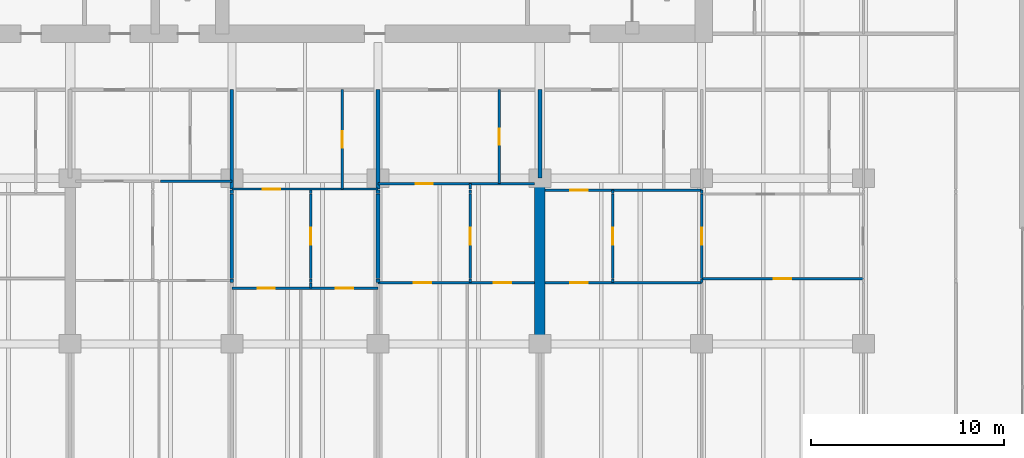
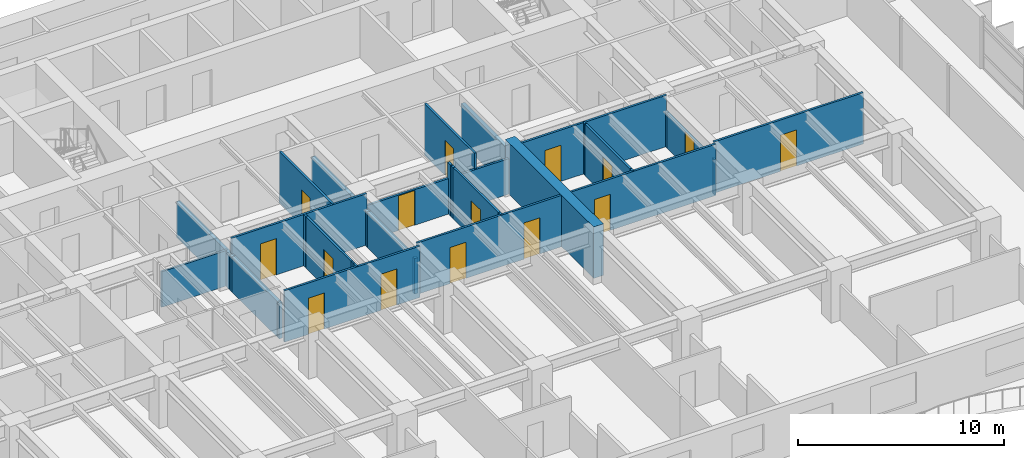
# One storey, part 9 of 18: 34 walls, 15 doors, 15 openings.
"""IFC4 building model written with IfcOpenShell, lengths in metres."""

from ifc_helpers import new_model, si_unit, direction, frame, frame_2d, origin, place, context, subcontext, project, spatial, rectangle, extrude, material, layer, layer_set, type_object, element, fill, save


model = new_model("IFC4")

# Units and contexts
model_context = context("Model", 3, precision=1e-05, world=origin(), true_north=direction((0.0, 1.0)))
body_context = subcontext(model_context, "Body", "Model", "MODEL_VIEW")
ifc_project = project(units=[si_unit("LENGTHUNIT", "METRE"), si_unit("AREAUNIT", "SQUARE_METRE"), si_unit("VOLUMEUNIT", "CUBIC_METRE"), si_unit("PLANEANGLEUNIT", "RADIAN"), si_unit("MASSUNIT", "GRAM", prefix="KILO")], contexts=[model_context])

# Site, building, storey
site_placement = place(None, origin())
site = spatial("IfcSite", under=ifc_project, at=site_placement, CompositionType="ELEMENT")
building_placement = place(site_placement, origin())
building = spatial("IfcBuilding", under=site, at=building_placement, Name="Caelmar Bay Residences", CompositionType="ELEMENT")
storey_placement = place(building_placement, frame((0.0, 0.0, 46.5)))
storey = spatial("IfcBuildingStorey", under=building, at=storey_placement, Name="L11", CompositionType="ELEMENT", Elevation=46.5)

# Walls
ifc_material_1 = material(Name="Concrete f'c 70 MPa (10,000 psi)", Category="concrete")
ifc_layer_1 = layer(ifc_material_1, 0.550048828125)
ifc_layer_set_1 = layer_set([ifc_layer_1], Name="Concrete f'c 70 MPa (10,000 psi)")
wall_type_1 = type_object("IfcWallType", Name="SW-XSLB-550", PredefinedType="SHEAR", material=ifc_layer_set_1)
wall_1_placement = place(storey_placement, frame((51.10009765625, 20.800048828125, 0.0), z_axis=(0.0, 0.0, 1.0), x_axis=(0.0, 1.0, 0.0)))
element("IfcWall", 1, at=wall_1_placement, inside=storey, type_object=wall_type_1, Name="L11 Transverse Cross-Slab Shear Wall E8", PredefinedType="SHEAR", context=body_context, shape_type="SweptSolid", body=[
    extrude(rectangle(XDim=8.599853515625, YDim=0.550048828125, at=frame_2d((4.2998046875, 0.0))), origin(), (0.0, 0.0, 1.0), 3.050048828125),
])
ifc_material_2 = material(Name="Acoustic metal-stud gypsum partition 120 mm")
ifc_layer_2 = layer(ifc_material_2, 0.1201171875)
ifc_layer_set_2 = layer_set([ifc_layer_2], Name="Acoustic metal-stud gypsum partition 120 mm")
wall_type_2 = type_object("IfcWallType", Name="W-PRT-120", PredefinedType="PARTITIONING", material=ifc_layer_set_2)
wall_2_placement = place(storey_placement, frame((39.2041015625, 23.68994140625, 0.0), z_axis=(0.0, 0.0, 1.0), x_axis=(0.0, 1.0, 0.0)))
element("IfcWall", 2, at=wall_2_placement, inside=storey, type_object=wall_type_2, Name="L11 Partition Wall V055", PredefinedType="PARTITIONING", context=body_context, shape_type="SweptSolid", body=[
    extrude(rectangle(XDim=0.280029296875, YDim=0.1201171875, at=frame_2d((0.14013671875, 0.0))), origin(), (0.0, 0.0, 1.0), 3.050048828125),
])
wall_3_placement = place(storey_placement, frame((39.2041015625, 24.0, 0.0), z_axis=(0.0, 0.0, 1.0), x_axis=(0.0, 1.0, 0.0)))
element("IfcWall", 3, at=wall_3_placement, inside=storey, type_object=wall_type_2, Name="L11 Partition Wall V056", PredefinedType="PARTITIONING", context=body_context, shape_type="SweptSolid", body=[
    extrude(rectangle(XDim=0.179931640625, YDim=0.1201171875, at=frame_2d((0.08984375, 0.0))), origin(), (0.0, 0.0, 1.0), 3.050048828125),
])

# Wall, opening, door
wall_4_placement = place(storey_placement, frame((39.2041015625, 24.199951171875, 0.0), z_axis=(0.0, 0.0, 1.0), x_axis=(0.0, 1.0, 0.0)))
wall_4 = element("IfcWall", 4, at=wall_4_placement, inside=storey, type_object=wall_type_2, Name="L11 Partition Wall V057", PredefinedType="PARTITIONING", context=body_context, shape_type="SweptSolid", body=[
    extrude(rectangle(XDim=4.380126953125, YDim=0.1201171875, at=frame_2d((2.18994140625, 0.0))), origin(), (0.0, 0.0, 1.0), 3.050048828125),
])
opening_1_placement = place(wall_4_placement, frame((1.739990234375, 0.0, 0.0)))
opening_1 = element("IfcOpeningElement", 5, at=opening_1_placement, cuts=wall_4, Name="Opening D-L11-144", PredefinedType="OPENING", context=body_context, shape_type="SweptSolid", body=[
    extrude(rectangle(XDim=0.89990234375, YDim=2.14990234375, at=frame_2d((0.449951171875, 1.074951171875))), frame((0.0, 0.070068359375, 0.0), z_axis=(0.0, -1.0, 0.0), x_axis=(1.0, 0.0, 0.0)), (0.0, 0.0, 1.0), 0.14013671875),
])
ifc_material_3 = material(Name="Solid walnut timber interior door leaf and frame", Category="wood")
ifc_layer_3 = layer(ifc_material_3, 0.050048828125)
ifc_layer_set_3 = layer_set([ifc_layer_3], Name="Solid walnut timber interior door leaf and frame")
door_type_1 = type_object("IfcDoorType", Name="D-ROOM-900", OperationType="NOTDEFINED", PredefinedType="DOOR", material=ifc_layer_set_3)
door_1_placement = place(opening_1_placement, origin())
door_1 = element("IfcDoor", 6, at=door_1_placement, inside=storey, type_object=door_type_1, Name="L11 Residence 03 Home Office Door", OperationType="SINGLE_SWING_LEFT", OverallHeight=2.14990234375, OverallWidth=0.89990234375, PredefinedType="DOOR", context=body_context, shape_type="SweptSolid", body=[
    extrude(rectangle(XDim=0.89990234375, YDim=2.14990234375, at=frame_2d((0.449951171875, 1.074951171875))), frame((0.0, 0.02490234375, 0.0), z_axis=(0.0, -1.0, 0.0), x_axis=(1.0, 0.0, 0.0)), (0.0, 0.0, 1.0), 0.050048828125),
])
fill(opening_1, door_1)

# Wall
wall_5_placement = place(storey_placement, frame((39.2041015625, 28.60009765625, 0.0), z_axis=(0.0, 0.0, 1.0), x_axis=(0.0, 1.0, 0.0)))
element("IfcWall", 7, at=wall_5_placement, inside=storey, type_object=wall_type_2, Name="L11 Partition Wall V058", PredefinedType="PARTITIONING", context=body_context, shape_type="SweptSolid", body=[
    extrude(rectangle(XDim=0.179931640625, YDim=0.1201171875, at=frame_2d((0.08984375, 0.0))), origin(), (0.0, 0.0, 1.0), 3.050048828125),
])

# Wall, opening, door
wall_6_placement = place(storey_placement, frame((40.840087890625, 28.840087890625, 0.0), z_axis=(0.0, 0.0, 1.0), x_axis=(0.0, 1.0, 0.0)))
wall_6 = element("IfcWall", 8, at=wall_6_placement, inside=storey, type_object=wall_type_2, Name="L11 Partition Wall V060", PredefinedType="PARTITIONING", context=body_context, shape_type="SweptSolid", body=[
    extrude(rectangle(XDim=5.159912109375, YDim=0.1201171875, at=frame_2d((2.580078125, 0.0))), origin(), (0.0, 0.0, 1.0), 3.050048828125),
])
opening_2_placement = place(wall_6_placement, frame((2.155029296875, 0.0, 0.0)))
opening_2 = element("IfcOpeningElement", 9, at=opening_2_placement, cuts=wall_6, Name="Opening D-L11-142", PredefinedType="OPENING", context=body_context, shape_type="SweptSolid", body=[
    extrude(rectangle(XDim=0.85009765625, YDim=2.10009765625, at=frame_2d((0.425048828125, 1.050048828125))), frame((0.0, 0.070068359375, 0.0), z_axis=(0.0, -1.0, 0.0), x_axis=(1.0, 0.0, 0.0)), (0.0, 0.0, 1.0), 0.14013671875),
])
ifc_layer_4 = layer(ifc_material_3, 0.050048828125)
ifc_layer_set_4 = layer_set([ifc_layer_4], Name="Solid walnut timber interior door leaf and frame")
door_type_2 = type_object("IfcDoorType", Name="D-BATH-850", OperationType="NOTDEFINED", PredefinedType="DOOR", material=ifc_layer_set_4)
door_2_placement = place(opening_2_placement, origin())
door_2 = element("IfcDoor", 10, at=door_2_placement, inside=storey, type_object=door_type_2, Name="L11 Residence 03 Bathroom Door", OperationType="SINGLE_SWING_LEFT", OverallHeight=2.10009765625, OverallWidth=0.85009765625, PredefinedType="DOOR", context=body_context, shape_type="SweptSolid", body=[
    extrude(rectangle(XDim=0.85009765625, YDim=2.10009765625, at=frame_2d((0.425048828125, 1.050048828125))), frame((0.0, 0.02490234375, 0.0), z_axis=(0.0, -1.0, 0.0), x_axis=(1.0, 0.0, 0.0)), (0.0, 0.0, 1.0), 0.050048828125),
])
fill(opening_2, door_2)

# Wall
wall_7_placement = place(storey_placement, frame((47.486083984375, 24.0, 0.0), z_axis=(0.0, 0.0, 1.0), x_axis=(0.0, 1.0, 0.0)))
element("IfcWall", 11, at=wall_7_placement, inside=storey, type_object=wall_type_2, Name="L11 Partition Wall V072", PredefinedType="PARTITIONING", context=body_context, shape_type="SweptSolid", body=[
    extrude(rectangle(XDim=0.179931640625, YDim=0.1201171875, at=frame_2d((0.08984375, 0.0))), origin(), (0.0, 0.0, 1.0), 3.050048828125),
])

# Wall, opening, door
wall_8_placement = place(storey_placement, frame((47.486083984375, 24.199951171875, 0.0), z_axis=(0.0, 0.0, 1.0), x_axis=(0.0, 1.0, 0.0)))
wall_8 = element("IfcWall", 12, at=wall_8_placement, inside=storey, type_object=wall_type_2, Name="L11 Partition Wall V073", PredefinedType="PARTITIONING", context=body_context, shape_type="SweptSolid", body=[
    extrude(rectangle(XDim=4.380126953125, YDim=0.1201171875, at=frame_2d((2.18994140625, 0.0))), origin(), (0.0, 0.0, 1.0), 3.050048828125),
])
opening_3_placement = place(wall_8_placement, frame((1.739990234375, 0.0, 0.0)))
opening_3 = element("IfcOpeningElement", 13, at=opening_3_placement, cuts=wall_8, Name="Opening D-L11-151", PredefinedType="OPENING", context=body_context, shape_type="SweptSolid", body=[
    extrude(rectangle(XDim=0.89990234375, YDim=2.14990234375, at=frame_2d((0.449951171875, 1.074951171875))), frame((0.0, 0.070068359375, 0.0), z_axis=(0.0, -1.0, 0.0), x_axis=(1.0, 0.0, 0.0)), (0.0, 0.0, 1.0), 0.14013671875),
])
door_3_placement = place(opening_3_placement, origin())
door_3 = element("IfcDoor", 14, at=door_3_placement, inside=storey, type_object=door_type_1, Name="L11 Residence 04 Home Office Door", OperationType="SINGLE_SWING_RIGHT", OverallHeight=2.14990234375, OverallWidth=0.89990234375, PredefinedType="DOOR", context=body_context, shape_type="SweptSolid", body=[
    extrude(rectangle(XDim=0.89990234375, YDim=2.14990234375, at=frame_2d((0.449951171875, 1.074951171875))), frame((0.0, 0.02490234375, 0.0), z_axis=(0.0, -1.0, 0.0), x_axis=(1.0, 0.0, 0.0)), (0.0, 0.0, 1.0), 0.050048828125),
])
fill(opening_3, door_3)

# Walls
wall_9_placement = place(storey_placement, frame((47.486083984375, 28.60009765625, 0.0), z_axis=(0.0, 0.0, 1.0), x_axis=(0.0, 1.0, 0.0)))
element("IfcWall", 15, at=wall_9_placement, inside=storey, type_object=wall_type_2, Name="L11 Partition Wall V074", PredefinedType="PARTITIONING", context=body_context, shape_type="SweptSolid", body=[
    extrude(rectangle(XDim=0.179931640625, YDim=0.1201171875, at=frame_2d((0.08984375, 0.0))), origin(), (0.0, 0.0, 1.0), 3.050048828125),
])
wall_10_placement = place(storey_placement, frame((47.486083984375, 28.840087890625, 0.0), z_axis=(0.0, 0.0, 1.0), x_axis=(0.0, 1.0, 0.0)))
element("IfcWall", 16, at=wall_10_placement, inside=storey, type_object=wall_type_2, Name="L11 Partition Wall V075", PredefinedType="PARTITIONING", context=body_context, shape_type="SweptSolid", body=[
    extrude(rectangle(XDim=0.280029296875, YDim=0.1201171875, at=frame_2d((0.14013671875, 0.0))), origin(), (0.0, 0.0, 1.0), 3.050048828125),
])

# Wall, opening, door
wall_11_placement = place(storey_placement, frame((48.989013671875, 29.1201171875, 0.0), z_axis=(0.0, 0.0, 1.0), x_axis=(0.0, 1.0, 0.0)))
wall_11 = element("IfcWall", 17, at=wall_11_placement, inside=storey, type_object=wall_type_2, Name="L11 Partition Wall V077", PredefinedType="PARTITIONING", context=body_context, shape_type="SweptSolid", body=[
    extrude(rectangle(XDim=4.8798828125, YDim=0.1201171875, at=frame_2d((2.43994140625, 0.0))), origin(), (0.0, 0.0, 1.0), 3.050048828125),
])
opening_4_placement = place(wall_11_placement, frame((2.014892578125, 0.0, 0.0)))
opening_4 = element("IfcOpeningElement", 18, at=opening_4_placement, cuts=wall_11, Name="Opening D-L11-149", PredefinedType="OPENING", context=body_context, shape_type="SweptSolid", body=[
    extrude(rectangle(XDim=0.85009765625, YDim=2.10009765625, at=frame_2d((0.425048828125, 1.050048828125))), frame((0.0, 0.070068359375, 0.0), z_axis=(0.0, -1.0, 0.0), x_axis=(1.0, 0.0, 0.0)), (0.0, 0.0, 1.0), 0.14013671875),
])
door_4_placement = place(opening_4_placement, origin())
door_4 = element("IfcDoor", 19, at=door_4_placement, inside=storey, type_object=door_type_2, Name="L11 Residence 04 Bathroom Door", OperationType="SINGLE_SWING_RIGHT", OverallHeight=2.10009765625, OverallWidth=0.85009765625, PredefinedType="DOOR", context=body_context, shape_type="SweptSolid", body=[
    extrude(rectangle(XDim=0.85009765625, YDim=2.10009765625, at=frame_2d((0.425048828125, 1.050048828125))), frame((0.0, 0.02490234375, 0.0), z_axis=(0.0, -1.0, 0.0), x_axis=(1.0, 0.0, 0.0)), (0.0, 0.0, 1.0), 0.050048828125),
])
fill(opening_4, door_4)

# Wall
wall_12_placement = place(storey_placement, frame((54.8798828125, 24.0, 0.0), z_axis=(0.0, 0.0, 1.0), x_axis=(0.0, 1.0, 0.0)))
element("IfcWall", 20, at=wall_12_placement, inside=storey, type_object=wall_type_2, Name="L11 Partition Wall V085", PredefinedType="PARTITIONING", context=body_context, shape_type="SweptSolid", body=[
    extrude(rectangle(XDim=0.179931640625, YDim=0.1201171875, at=frame_2d((0.08984375, 0.0))), origin(), (0.0, 0.0, 1.0), 3.050048828125),
])

# Wall, opening, door
wall_13_placement = place(storey_placement, frame((54.8798828125, 24.199951171875, 0.0), z_axis=(0.0, 0.0, 1.0), x_axis=(0.0, 1.0, 0.0)))
wall_13 = element("IfcWall", 21, at=wall_13_placement, inside=storey, type_object=wall_type_2, Name="L11 Partition Wall V086", PredefinedType="PARTITIONING", context=body_context, shape_type="SweptSolid", body=[
    extrude(rectangle(XDim=4.380126953125, YDim=0.1201171875, at=frame_2d((2.18994140625, 0.0))), origin(), (0.0, 0.0, 1.0), 3.050048828125),
])
opening_5_placement = place(wall_13_placement, frame((1.739990234375, 0.0, 0.0)))
opening_5 = element("IfcOpeningElement", 22, at=opening_5_placement, cuts=wall_13, Name="Opening D-L11-158", PredefinedType="OPENING", context=body_context, shape_type="SweptSolid", body=[
    extrude(rectangle(XDim=0.89990234375, YDim=2.14990234375, at=frame_2d((0.449951171875, 1.074951171875))), frame((0.0, 0.070068359375, 0.0), z_axis=(0.0, -1.0, 0.0), x_axis=(1.0, 0.0, 0.0)), (0.0, 0.0, 1.0), 0.14013671875),
])
door_5_placement = place(opening_5_placement, origin())
door_5 = element("IfcDoor", 23, at=door_5_placement, inside=storey, type_object=door_type_1, Name="L11 Residence 05 Kitchen Door", OperationType="SINGLE_SWING_LEFT", OverallHeight=2.14990234375, OverallWidth=0.89990234375, PredefinedType="DOOR", context=body_context, shape_type="SweptSolid", body=[
    extrude(rectangle(XDim=0.89990234375, YDim=2.14990234375, at=frame_2d((0.449951171875, 1.074951171875))), frame((0.0, 0.02490234375, 0.0), z_axis=(0.0, -1.0, 0.0), x_axis=(1.0, 0.0, 0.0)), (0.0, 0.0, 1.0), 0.050048828125),
])
fill(opening_5, door_5)

# Walls
wall_14_placement = place(storey_placement, frame((54.8798828125, 28.60009765625, 0.0), z_axis=(0.0, 0.0, 1.0), x_axis=(0.0, 1.0, 0.0)))
element("IfcWall", 24, at=wall_14_placement, inside=storey, type_object=wall_type_2, Name="L11 Partition Wall V087", PredefinedType="PARTITIONING", context=body_context, shape_type="SweptSolid", body=[
    extrude(rectangle(XDim=0.179931640625, YDim=0.1201171875, at=frame_2d((0.08984375, 0.0))), origin(), (0.0, 0.0, 1.0), 3.050048828125),
])
wall_15_placement = place(storey_placement, frame((59.5, 24.0, 0.0), z_axis=(0.0, 0.0, 1.0), x_axis=(0.0, 1.0, 0.0)))
element("IfcWall", 25, at=wall_15_placement, inside=storey, type_object=wall_type_2, Name="L11 Partition Wall V092", PredefinedType="PARTITIONING", context=body_context, shape_type="SweptSolid", body=[
    extrude(rectangle(XDim=0.179931640625, YDim=0.1201171875, at=frame_2d((0.08984375, 0.0))), origin(), (0.0, 0.0, 1.0), 2.110107421875),
])

# Wall, opening, door
wall_16_placement = place(storey_placement, frame((59.5, 24.199951171875, 0.0), z_axis=(0.0, 0.0, 1.0), x_axis=(0.0, 1.0, 0.0)))
wall_16 = element("IfcWall", 26, at=wall_16_placement, inside=storey, type_object=wall_type_2, Name="L11 Partition Wall V093", PredefinedType="PARTITIONING", context=body_context, shape_type="SweptSolid", body=[
    extrude(rectangle(XDim=4.380126953125, YDim=0.1201171875, at=frame_2d((2.18994140625, 0.0))), origin(), (0.0, 0.0, 1.0), 2.110107421875),
])
opening_6_placement = place(wall_16_placement, frame((1.739990234375, 0.0, 0.0)))
opening_6 = element("IfcOpeningElement", 27, at=opening_6_placement, cuts=wall_16, Name="Opening D-L11-160", PredefinedType="OPENING", context=body_context, shape_type="SweptSolid", body=[
    extrude(rectangle(XDim=0.89990234375, YDim=2.06005859375, at=frame_2d((0.449951171875, 1.030029296875))), frame((0.0, 0.070068359375, 0.0), z_axis=(0.0, -1.0, 0.0), x_axis=(1.0, 0.0, 0.0)), (0.0, 0.0, 1.0), 0.14013671875),
])
door_6_placement = place(opening_6_placement, origin())
door_6 = element("IfcDoor", 28, at=door_6_placement, inside=storey, type_object=door_type_1, Name="L11 Residence 05 Library Study 1 Door", OperationType="SINGLE_SWING_LEFT", OverallHeight=2.06005859375, OverallWidth=0.89990234375, PredefinedType="DOOR", context=body_context, shape_type="SweptSolid", body=[
    extrude(rectangle(XDim=0.89990234375, YDim=2.06005859375, at=frame_2d((0.449951171875, 1.030029296875))), frame((0.0, 0.02490234375, 0.0), z_axis=(0.0, -1.0, 0.0), x_axis=(1.0, 0.0, 0.0)), (0.0, 0.0, 1.0), 0.050048828125),
])
fill(opening_6, door_6)

# Wall
wall_17_placement = place(storey_placement, frame((59.5, 28.60009765625, 0.0), z_axis=(0.0, 0.0, 1.0), x_axis=(0.0, 1.0, 0.0)))
element("IfcWall", 29, at=wall_17_placement, inside=storey, type_object=wall_type_2, Name="L11 Partition Wall V094", PredefinedType="PARTITIONING", context=body_context, shape_type="SweptSolid", body=[
    extrude(rectangle(XDim=0.179931640625, YDim=0.1201171875, at=frame_2d((0.08984375, 0.0))), origin(), (0.0, 0.0, 1.0), 2.110107421875),
])

# Wall, openings, doors
wall_18_placement = place(storey_placement, frame((35.10009765625, 23.68994140625, 0.0), z_axis=(0.0, 0.0, 1.0), x_axis=(1.0, 0.0, 0.0)))
wall_18 = element("IfcWall", 30, at=wall_18_placement, inside=storey, type_object=wall_type_2, Name="L11 Partition Wall H118", PredefinedType="PARTITIONING", context=body_context, shape_type="SweptSolid", body=[
    extrude(rectangle(XDim=7.599853515625, YDim=0.1201171875, at=frame_2d((3.7998046875, 0.0))), origin(), (0.0, 0.0, 1.0), 3.050048828125),
])
opening_7_placement = place(wall_18_placement, frame((1.3359375, 0.0, 0.0)))
opening_7 = element("IfcOpeningElement", 31, at=opening_7_placement, cuts=wall_18, Name="Opening D-L11-145", PredefinedType="OPENING", context=body_context, shape_type="SweptSolid", body=[
    extrude(rectangle(XDim=0.89990234375, YDim=2.14990234375, at=frame_2d((0.449951171875, 1.074951171875))), frame((0.0, 0.070068359375, 0.0), z_axis=(0.0, -1.0, 0.0), x_axis=(1.0, 0.0, 0.0)), (0.0, 0.0, 1.0), 0.14013671875),
])
opening_8_placement = place(wall_18_placement, frame((5.402099609375, 0.0, 0.0)))
opening_8 = element("IfcOpeningElement", 32, at=opening_8_placement, cuts=wall_18, Name="Opening D-L11-146", PredefinedType="OPENING", context=body_context, shape_type="SweptSolid", body=[
    extrude(rectangle(XDim=0.89990234375, YDim=2.14990234375, at=frame_2d((0.449951171875, 1.074951171875))), frame((0.0, 0.070068359375, 0.0), z_axis=(0.0, -1.0, 0.0), x_axis=(1.0, 0.0, 0.0)), (0.0, 0.0, 1.0), 0.14013671875),
])
door_7_placement = place(opening_7_placement, origin())
door_7 = element("IfcDoor", 33, at=door_7_placement, inside=storey, type_object=door_type_1, Name="L11 Residence 03 Living Room Door", OperationType="SINGLE_SWING_RIGHT", OverallHeight=2.14990234375, OverallWidth=0.89990234375, PredefinedType="DOOR", context=body_context, shape_type="SweptSolid", body=[
    extrude(rectangle(XDim=0.89990234375, YDim=2.14990234375, at=frame_2d((0.449951171875, 1.074951171875))), frame((0.0, 0.02490234375, 0.0), z_axis=(0.0, -1.0, 0.0), x_axis=(1.0, 0.0, 0.0)), (0.0, 0.0, 1.0), 0.050048828125),
])
fill(opening_7, door_7)
door_8_placement = place(opening_8_placement, origin())
door_8 = element("IfcDoor", 34, at=door_8_placement, inside=storey, type_object=door_type_1, Name="L11 Residence 03 Penthouse Sitting Room Door", OperationType="SINGLE_SWING_LEFT", OverallHeight=2.14990234375, OverallWidth=0.89990234375, PredefinedType="DOOR", context=body_context, shape_type="SweptSolid", body=[
    extrude(rectangle(XDim=0.89990234375, YDim=2.14990234375, at=frame_2d((0.449951171875, 1.074951171875))), frame((0.0, 0.02490234375, 0.0), z_axis=(0.0, -1.0, 0.0), x_axis=(1.0, 0.0, 0.0)), (0.0, 0.0, 1.0), 0.050048828125),
])
fill(opening_8, door_8)

wall_19_placement = place(storey_placement, frame((42.699951171875, 23.969970703125, 0.0), z_axis=(0.0, 0.0, 1.0), x_axis=(1.0, 0.0, 0.0)))
wall_19 = element("IfcWall", 35, at=wall_19_placement, inside=storey, type_object=wall_type_2, Name="L11 Partition Wall H119", PredefinedType="PARTITIONING", context=body_context, shape_type="SweptSolid", body=[
    extrude(rectangle(XDim=8.130126953125, YDim=0.1201171875, at=frame_2d((4.06494140625, 0.0))), origin(), (0.0, 0.0, 1.0), 3.050048828125),
])
opening_9_placement = place(wall_19_placement, frame((1.860107421875, 0.0, 0.0)))
opening_9 = element("IfcOpeningElement", 36, at=opening_9_placement, cuts=wall_19, Name="Opening D-L11-152", PredefinedType="OPENING", context=body_context, shape_type="SweptSolid", body=[
    extrude(rectangle(XDim=0.89990234375, YDim=2.14990234375, at=frame_2d((0.449951171875, 1.074951171875))), frame((0.0, 0.070068359375, 0.0), z_axis=(0.0, -1.0, 0.0), x_axis=(1.0, 0.0, 0.0)), (0.0, 0.0, 1.0), 0.14013671875),
])
opening_10_placement = place(wall_19_placement, frame((6.008056640625, 0.0, 0.0)))
opening_10 = element("IfcOpeningElement", 37, at=opening_10_placement, cuts=wall_19, Name="Opening D-L11-153", PredefinedType="OPENING", context=body_context, shape_type="SweptSolid", body=[
    extrude(rectangle(XDim=0.89990234375, YDim=2.14990234375, at=frame_2d((0.449951171875, 1.074951171875))), frame((0.0, 0.070068359375, 0.0), z_axis=(0.0, -1.0, 0.0), x_axis=(1.0, 0.0, 0.0)), (0.0, 0.0, 1.0), 0.14013671875),
])
door_9_placement = place(opening_9_placement, origin())
door_9 = element("IfcDoor", 38, at=door_9_placement, inside=storey, type_object=door_type_1, Name="L11 Residence 04 Penthouse Living Salon Door", OperationType="SINGLE_SWING_LEFT", OverallHeight=2.14990234375, OverallWidth=0.89990234375, PredefinedType="DOOR", context=body_context, shape_type="SweptSolid", body=[
    extrude(rectangle(XDim=0.89990234375, YDim=2.14990234375, at=frame_2d((0.449951171875, 1.074951171875))), frame((0.0, 0.02490234375, 0.0), z_axis=(0.0, -1.0, 0.0), x_axis=(1.0, 0.0, 0.0)), (0.0, 0.0, 1.0), 0.050048828125),
])
fill(opening_9, door_9)
door_10_placement = place(opening_10_placement, origin())
door_10 = element("IfcDoor", 39, at=door_10_placement, inside=storey, type_object=door_type_1, Name="L11 Residence 04 Penthouse Sitting Room Door", OperationType="SINGLE_SWING_RIGHT", OverallHeight=2.14990234375, OverallWidth=0.89990234375, PredefinedType="DOOR", context=body_context, shape_type="SweptSolid", body=[
    extrude(rectangle(XDim=0.89990234375, YDim=2.14990234375, at=frame_2d((0.449951171875, 1.074951171875))), frame((0.0, 0.02490234375, 0.0), z_axis=(0.0, -1.0, 0.0), x_axis=(1.0, 0.0, 0.0)), (0.0, 0.0, 1.0), 0.050048828125),
])
fill(opening_10, door_10)

# Wall, opening, door
wall_20_placement = place(storey_placement, frame((51.3701171875, 23.97998046875, 0.0), z_axis=(0.0, 0.0, 1.0), x_axis=(1.0, 0.0, 0.0)))
wall_20 = element("IfcWall", 40, at=wall_20_placement, inside=storey, type_object=wall_type_2, Name="L11 Partition Wall H120", PredefinedType="PARTITIONING", context=body_context, shape_type="SweptSolid", body=[
    extrude(rectangle(XDim=8.1298828125, YDim=0.1201171875, at=frame_2d((4.06494140625, 0.0))), origin(), (0.0, 0.0, 1.0), 3.050048828125),
])
opening_11_placement = place(wall_20_placement, frame((1.304931640625, 0.0, 0.0)))
opening_11 = element("IfcOpeningElement", 41, at=opening_11_placement, cuts=wall_20, Name="Opening D-L11-159", PredefinedType="OPENING", context=body_context, shape_type="SweptSolid", body=[
    extrude(rectangle(XDim=0.89990234375, YDim=2.14990234375, at=frame_2d((0.449951171875, 1.074951171875))), frame((0.0, 0.070068359375, 0.0), z_axis=(0.0, -1.0, 0.0), x_axis=(1.0, 0.0, 0.0)), (0.0, 0.0, 1.0), 0.14013671875),
])
door_11_placement = place(opening_11_placement, origin())
door_11 = element("IfcDoor", 42, at=door_11_placement, inside=storey, type_object=door_type_1, Name="L11 Residence 05 Penthouse Living Salon Door", OperationType="SINGLE_SWING_RIGHT", OverallHeight=2.14990234375, OverallWidth=0.89990234375, PredefinedType="DOOR", context=body_context, shape_type="SweptSolid", body=[
    extrude(rectangle(XDim=0.89990234375, YDim=2.14990234375, at=frame_2d((0.449951171875, 1.074951171875))), frame((0.0, 0.02490234375, 0.0), z_axis=(0.0, -1.0, 0.0), x_axis=(1.0, 0.0, 0.0)), (0.0, 0.0, 1.0), 0.050048828125),
])
fill(opening_11, door_11)

wall_21_placement = place(storey_placement, frame((59.5048828125, 24.179931640625, 0.0), z_axis=(0.0, 0.0, 1.0), x_axis=(1.0, 0.0, 0.0)))
wall_21 = element("IfcWall", 43, at=wall_21_placement, inside=storey, type_object=wall_type_2, Name="L11 Partition Wall H124", PredefinedType="PARTITIONING", context=body_context, shape_type="SweptSolid", body=[
    extrude(rectangle(XDim=8.39501953125, YDim=0.1201171875, at=frame_2d((4.197509765625, 0.0))), origin(), (0.0, 0.0, 1.0), 3.050048828125),
])
opening_12_placement = place(wall_21_placement, frame((3.74755859375, 0.0, 0.0)))
opening_12 = element("IfcOpeningElement", 44, at=opening_12_placement, cuts=wall_21, Name="Opening D-L11-163", PredefinedType="OPENING", context=body_context, shape_type="SweptSolid", body=[
    extrude(rectangle(XDim=0.89990234375, YDim=2.14990234375, at=frame_2d((0.449951171875, 1.074951171875))), frame((0.0, 0.070068359375, 0.0), z_axis=(0.0, -1.0, 0.0), x_axis=(1.0, 0.0, 0.0)), (0.0, 0.0, 1.0), 0.14013671875),
])
door_12_placement = place(opening_12_placement, origin())
door_12 = element("IfcDoor", 45, at=door_12_placement, inside=storey, type_object=door_type_1, Name="L11 Residence 05 Penthouse Sitting Salon 1 Door", OperationType="SINGLE_SWING_RIGHT", OverallHeight=2.14990234375, OverallWidth=0.89990234375, PredefinedType="DOOR", context=body_context, shape_type="SweptSolid", body=[
    extrude(rectangle(XDim=0.89990234375, YDim=2.14990234375, at=frame_2d((0.449951171875, 1.074951171875))), frame((0.0, 0.02490234375, 0.0), z_axis=(0.0, -1.0, 0.0), x_axis=(1.0, 0.0, 0.0)), (0.0, 0.0, 1.0), 0.050048828125),
])
fill(opening_12, door_12)

wall_22_placement = place(storey_placement, frame((51.3701171875, 28.780029296875, 0.0), z_axis=(0.0, 0.0, 1.0), x_axis=(1.0, 0.0, 0.0)))
wall_22 = element("IfcWall", 46, at=wall_22_placement, inside=storey, type_object=wall_type_2, Name="L11 Partition Wall H128", PredefinedType="PARTITIONING", context=body_context, shape_type="SweptSolid", body=[
    extrude(rectangle(XDim=8.1298828125, YDim=0.1201171875, at=frame_2d((4.06494140625, 0.0))), origin(), (0.0, 0.0, 1.0), 3.050048828125),
])
opening_13_placement = place(wall_22_placement, frame((1.304931640625, 0.0, 0.0)))
opening_13 = element("IfcOpeningElement", 47, at=opening_13_placement, cuts=wall_22, Name="Opening D-L11-157", PredefinedType="OPENING", context=body_context, shape_type="SweptSolid", body=[
    extrude(rectangle(XDim=0.89990234375, YDim=2.14990234375, at=frame_2d((0.449951171875, 1.074951171875))), frame((0.0, 0.070068359375, 0.0), z_axis=(0.0, -1.0, 0.0), x_axis=(1.0, 0.0, 0.0)), (0.0, 0.0, 1.0), 0.14013671875),
])
door_13_placement = place(opening_13_placement, origin())
door_13 = element("IfcDoor", 48, at=door_13_placement, inside=storey, type_object=door_type_1, Name="L11 Residence 05 Dining Room Door", OperationType="SINGLE_SWING_RIGHT", OverallHeight=2.14990234375, OverallWidth=0.89990234375, PredefinedType="DOOR", context=body_context, shape_type="SweptSolid", body=[
    extrude(rectangle(XDim=0.89990234375, YDim=2.14990234375, at=frame_2d((0.449951171875, 1.074951171875))), frame((0.0, 0.02490234375, 0.0), z_axis=(0.0, -1.0, 0.0), x_axis=(1.0, 0.0, 0.0)), (0.0, 0.0, 1.0), 0.050048828125),
])
fill(opening_13, door_13)

wall_23_placement = place(storey_placement, frame((35.10009765625, 28.840087890625, 0.0), z_axis=(0.0, 0.0, 1.0), x_axis=(1.0, 0.0, 0.0)))
wall_23 = element("IfcWall", 49, at=wall_23_placement, inside=storey, type_object=wall_type_2, Name="L11 Partition Wall H130", PredefinedType="PARTITIONING", context=body_context, shape_type="SweptSolid", body=[
    extrude(rectangle(XDim=7.599853515625, YDim=0.1201171875, at=frame_2d((3.7998046875, 0.0))), origin(), (0.0, 0.0, 1.0), 3.050048828125),
])
opening_14_placement = place(wall_23_placement, frame((1.60205078125, 0.0, 0.0)))
opening_14 = element("IfcOpeningElement", 50, at=opening_14_placement, cuts=wall_23, Name="Opening D-L11-143", PredefinedType="OPENING", context=body_context, shape_type="SweptSolid", body=[
    extrude(rectangle(XDim=0.89990234375, YDim=2.14990234375, at=frame_2d((0.449951171875, 1.074951171875))), frame((0.0, 0.070068359375, 0.0), z_axis=(0.0, -1.0, 0.0), x_axis=(1.0, 0.0, 0.0)), (0.0, 0.0, 1.0), 0.14013671875),
])
door_14_placement = place(opening_14_placement, origin())
door_14 = element("IfcDoor", 51, at=door_14_placement, inside=storey, type_object=door_type_1, Name="L11 Residence 03 Kitchen Door", OperationType="SINGLE_SWING_RIGHT", OverallHeight=2.14990234375, OverallWidth=0.89990234375, PredefinedType="DOOR", context=body_context, shape_type="SweptSolid", body=[
    extrude(rectangle(XDim=0.89990234375, YDim=2.14990234375, at=frame_2d((0.449951171875, 1.074951171875))), frame((0.0, 0.02490234375, 0.0), z_axis=(0.0, -1.0, 0.0), x_axis=(1.0, 0.0, 0.0)), (0.0, 0.0, 1.0), 0.050048828125),
])
fill(opening_14, door_14)

wall_24_placement = place(storey_placement, frame((42.699951171875, 29.1201171875, 0.0), z_axis=(0.0, 0.0, 1.0), x_axis=(1.0, 0.0, 0.0)))
wall_24 = element("IfcWall", 52, at=wall_24_placement, inside=storey, type_object=wall_type_2, Name="L11 Partition Wall H131", PredefinedType="PARTITIONING", context=body_context, shape_type="SweptSolid", body=[
    extrude(rectangle(XDim=8.130126953125, YDim=0.1201171875, at=frame_2d((4.06494140625, 0.0))), origin(), (0.0, 0.0, 1.0), 2.110107421875),
])
opening_15_placement = place(wall_24_placement, frame((1.943115234375, 0.0, 0.0)))
opening_15 = element("IfcOpeningElement", 53, at=opening_15_placement, cuts=wall_24, Name="Opening D-L11-150", PredefinedType="OPENING", context=body_context, shape_type="SweptSolid", body=[
    extrude(rectangle(XDim=0.89990234375, YDim=2.06005859375, at=frame_2d((0.449951171875, 1.030029296875))), frame((0.0, 0.070068359375, 0.0), z_axis=(0.0, -1.0, 0.0), x_axis=(1.0, 0.0, 0.0)), (0.0, 0.0, 1.0), 0.14013671875),
])
door_15_placement = place(opening_15_placement, origin())
door_15 = element("IfcDoor", 54, at=door_15_placement, inside=storey, type_object=door_type_1, Name="L11 Residence 04 Kitchen Door", OperationType="SINGLE_SWING_LEFT", OverallHeight=2.06005859375, OverallWidth=0.89990234375, PredefinedType="DOOR", context=body_context, shape_type="SweptSolid", body=[
    extrude(rectangle(XDim=0.89990234375, YDim=2.06005859375, at=frame_2d((0.449951171875, 1.030029296875))), frame((0.0, 0.02490234375, 0.0), z_axis=(0.0, -1.0, 0.0), x_axis=(1.0, 0.0, 0.0)), (0.0, 0.0, 1.0), 0.050048828125),
])
fill(opening_15, door_15)

# Walls
wall_25_placement = place(storey_placement, frame((31.39990234375, 29.239990234375, 0.0), z_axis=(0.0, 0.0, 1.0), x_axis=(1.0, 0.0, 0.0)))
element("IfcWall", 55, at=wall_25_placement, inside=storey, type_object=wall_type_2, Name="L11 Partition Wall H133", PredefinedType="PARTITIONING", context=body_context, shape_type="SweptSolid", body=[
    extrude(rectangle(XDim=3.7001953125, YDim=0.1201171875, at=frame_2d((1.85009765625, 0.0))), origin(), (0.0, 0.0, 1.0), 2.110107421875),
])
ifc_material_4 = material(Name="Acoustic twin-stud fire-rated inter-tenancy partition 200 mm")
ifc_layer_5 = layer(ifc_material_4, 0.199951171875)
ifc_layer_set_5 = layer_set([ifc_layer_5], Name="Acoustic twin-stud fire-rated inter-tenancy partition 200 mm")
wall_type_3 = type_object("IfcWallType", Name="W-PTY-200", PredefinedType="PARTITIONING", material=ifc_layer_set_5)
wall_26_placement = place(storey_placement, frame((35.10009765625, 24.0, 0.0), z_axis=(0.0, 0.0, 1.0), x_axis=(0.0, 1.0, 0.0)))
element("IfcWall", 56, at=wall_26_placement, inside=storey, type_object=wall_type_3, Name="L11 Partition Wall V047", PredefinedType="PARTITIONING", context=body_context, shape_type="SweptSolid", body=[
    extrude(rectangle(XDim=0.179931640625, YDim=0.199951171875, at=frame_2d((0.08984375, 0.0))), origin(), (0.0, 0.0, 1.0), 2.110107421875),
])
wall_27_placement = place(storey_placement, frame((35.10009765625, 24.199951171875, 0.0), z_axis=(0.0, 0.0, 1.0), x_axis=(0.0, 1.0, 0.0)))
element("IfcWall", 57, at=wall_27_placement, inside=storey, type_object=wall_type_3, Name="L11 Partition Wall V048", PredefinedType="PARTITIONING", context=body_context, shape_type="SweptSolid", body=[
    extrude(rectangle(XDim=4.380126953125, YDim=0.199951171875, at=frame_2d((2.18994140625, 0.0))), origin(), (0.0, 0.0, 1.0), 2.110107421875),
])
wall_28_placement = place(storey_placement, frame((35.10009765625, 28.60009765625, 0.0), z_axis=(0.0, 0.0, 1.0), x_axis=(0.0, 1.0, 0.0)))
element("IfcWall", 58, at=wall_28_placement, inside=storey, type_object=wall_type_3, Name="L11 Partition Wall V049", PredefinedType="PARTITIONING", context=body_context, shape_type="SweptSolid", body=[
    extrude(rectangle(XDim=0.179931640625, YDim=0.199951171875, at=frame_2d((0.08984375, 0.0))), origin(), (0.0, 0.0, 1.0), 2.110107421875),
])
wall_29_placement = place(storey_placement, frame((35.10009765625, 28.840087890625, 0.0), z_axis=(0.0, 0.0, 1.0), x_axis=(0.0, 1.0, 0.0)))
element("IfcWall", 59, at=wall_29_placement, inside=storey, type_object=wall_type_3, Name="L11 Partition Wall V050", PredefinedType="PARTITIONING", context=body_context, shape_type="SweptSolid", body=[
    extrude(rectangle(XDim=5.159912109375, YDim=0.199951171875, at=frame_2d((2.580078125, 0.0))), origin(), (0.0, 0.0, 1.0), 2.110107421875),
])
wall_30_placement = place(storey_placement, frame((42.699951171875, 24.0, 0.0), z_axis=(0.0, 0.0, 1.0), x_axis=(0.0, 1.0, 0.0)))
element("IfcWall", 60, at=wall_30_placement, inside=storey, type_object=wall_type_3, Name="L11 Partition Wall V063", PredefinedType="PARTITIONING", context=body_context, shape_type="SweptSolid", body=[
    extrude(rectangle(XDim=0.179931640625, YDim=0.199951171875, at=frame_2d((0.08984375, 0.0))), origin(), (0.0, 0.0, 1.0), 2.110107421875),
])
wall_31_placement = place(storey_placement, frame((42.699951171875, 24.199951171875, 0.0), z_axis=(0.0, 0.0, 1.0), x_axis=(0.0, 1.0, 0.0)))
element("IfcWall", 61, at=wall_31_placement, inside=storey, type_object=wall_type_3, Name="L11 Partition Wall V064", PredefinedType="PARTITIONING", context=body_context, shape_type="SweptSolid", body=[
    extrude(rectangle(XDim=4.380126953125, YDim=0.199951171875, at=frame_2d((2.18994140625, 0.0))), origin(), (0.0, 0.0, 1.0), 2.110107421875),
])
wall_32_placement = place(storey_placement, frame((42.699951171875, 28.60009765625, 0.0), z_axis=(0.0, 0.0, 1.0), x_axis=(0.0, 1.0, 0.0)))
element("IfcWall", 62, at=wall_32_placement, inside=storey, type_object=wall_type_3, Name="L11 Partition Wall V065", PredefinedType="PARTITIONING", context=body_context, shape_type="SweptSolid", body=[
    extrude(rectangle(XDim=0.179931640625, YDim=0.199951171875, at=frame_2d((0.08984375, 0.0))), origin(), (0.0, 0.0, 1.0), 2.110107421875),
])
wall_33_placement = place(storey_placement, frame((42.699951171875, 28.840087890625, 0.0), z_axis=(0.0, 0.0, 1.0), x_axis=(0.0, 1.0, 0.0)))
element("IfcWall", 63, at=wall_33_placement, inside=storey, type_object=wall_type_3, Name="L11 Partition Wall V066", PredefinedType="PARTITIONING", context=body_context, shape_type="SweptSolid", body=[
    extrude(rectangle(XDim=5.159912109375, YDim=0.199951171875, at=frame_2d((2.580078125, 0.0))), origin(), (0.0, 0.0, 1.0), 2.110107421875),
])
wall_34_placement = place(storey_placement, frame((51.10009765625, 29.405029296875, 0.0), z_axis=(0.0, 0.0, 1.0), x_axis=(0.0, 1.0, 0.0)))
element("IfcWall", 64, at=wall_34_placement, inside=storey, type_object=wall_type_3, Name="L11 Partition Wall V082", PredefinedType="PARTITIONING", context=body_context, shape_type="SweptSolid", body=[
    extrude(rectangle(XDim=4.594970703125, YDim=0.199951171875, at=frame_2d((2.29736328125, 0.0))), origin(), (0.0, 0.0, 1.0), 2.3349609375),
])

save(model, "model.ifc")
